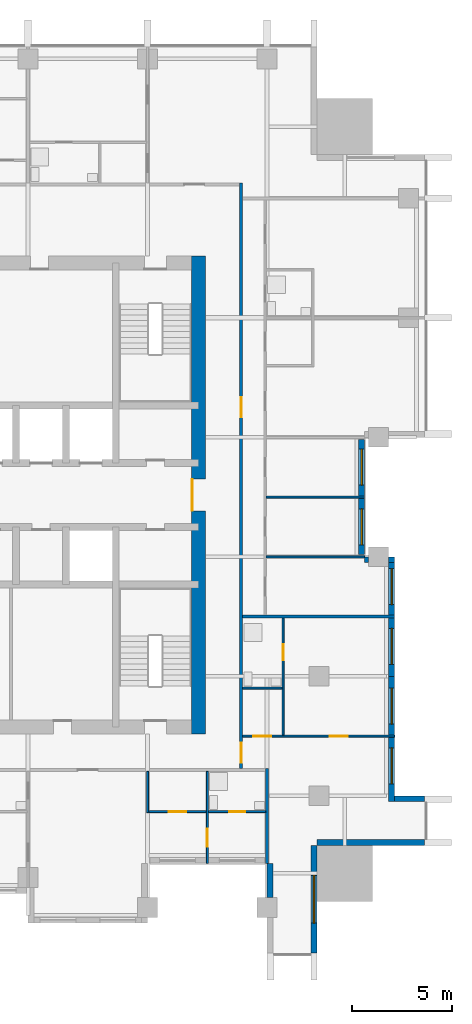
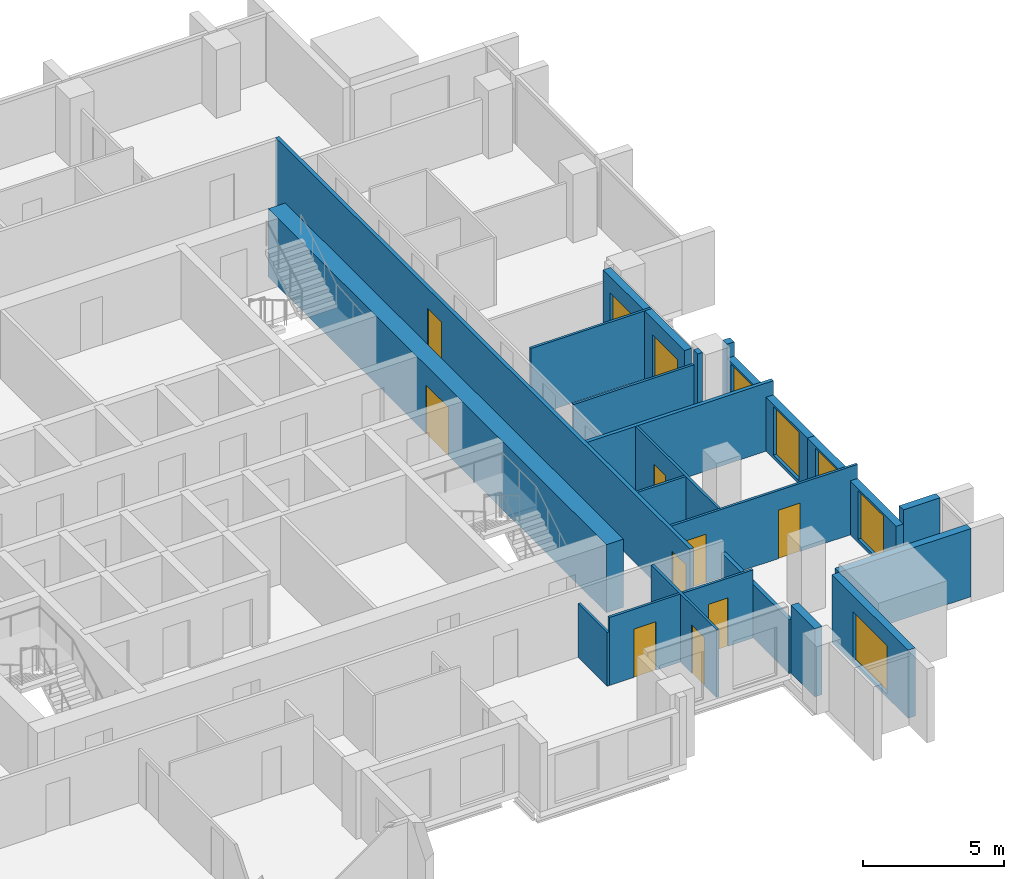
# One storey, part 6 of 10: 21 walls, 9 doors, 7 windows, 16 openings.
"""IFC4 building model written with IfcOpenShell, lengths in metres."""

from ifc_helpers import new_model, si_unit, direction, frame, frame_2d, origin, place, context, subcontext, project, spatial, rectangle, extrude, material, layer, layer_set, type_object, element, fill, save


model = new_model("IFC4")

# Units and contexts
model_context = context("Model", 3, precision=1e-05, world=origin(), true_north=direction((0.0, 1.0)))
body_context = subcontext(model_context, "Body", "Model", "MODEL_VIEW")
ifc_project = project(units=[si_unit("LENGTHUNIT", "METRE"), si_unit("AREAUNIT", "SQUARE_METRE"), si_unit("VOLUMEUNIT", "CUBIC_METRE"), si_unit("PLANEANGLEUNIT", "RADIAN"), si_unit("MASSUNIT", "GRAM", prefix="KILO")], contexts=[model_context])

# Site, building, storey
site_placement = place(None, origin())
site = spatial("IfcSite", under=ifc_project, at=site_placement, CompositionType="ELEMENT")
building_placement = place(site_placement, origin())
building = spatial("IfcBuilding", under=site, at=building_placement, Name="Amberfall Residences", CompositionType="ELEMENT")
storey_placement = place(building_placement, frame((0.0, 0.0, 174.699951171875)))
storey = spatial("IfcBuildingStorey", under=building, at=storey_placement, Name="L47", CompositionType="ELEMENT", Elevation=174.699951171875)

# Wall
ifc_material_1 = material(Name="Pale stone cladding on insulated backing", Category="masonry")
ifc_layer_1 = layer(ifc_material_1, 0.300048828125)
ifc_layer_set_1 = layer_set([ifc_layer_1], Name="Bronze clad wall 300")
wall_type_1 = type_object("IfcWallType", Name="Bronze clad wall 300", PredefinedType="SOLIDWALL", material=ifc_layer_set_1)
wall_1_placement = place(storey_placement, frame((89.75, 27.0, 0.0), z_axis=(0.0, 0.0, 1.0), x_axis=(0.0, -1.0, 0.0)))
element("IfcWall", 1, at=wall_1_placement, inside=storey, type_object=wall_type_1, Name="External wall L47 S", PredefinedType="SOLIDWALL", context=body_context, shape_type="SweptSolid", body=[
    extrude(rectangle(XDim=1.699951171875, YDim=0.300048828125, at=frame_2d((0.85009765625, 0.0))), origin(), (0.0, 0.0, 1.0), 2.949951171875),
])

# Wall, opening, window
wall_2_placement = place(storey_placement, frame((91.949951171875, 22.5, 0.0), z_axis=(0.0, 0.0, 1.0), x_axis=(0.0, 1.0, 0.0)))
wall_2 = element("IfcWall", 2, at=wall_2_placement, inside=storey, type_object=wall_type_1, Name="External wall L47 SE", PredefinedType="SOLIDWALL", context=body_context, shape_type="SweptSolid", body=[
    extrude(rectangle(XDim=5.39990234375, YDim=0.300048828125, at=frame_2d((2.699951171875, 0.0))), origin(), (0.0, 0.0, 1.0), 2.949951171875),
])
opening_1_placement = place(wall_2_placement, frame((1.5, 0.0, 0.14990234375)))
opening_1 = element("IfcOpeningElement", 3, at=opening_1_placement, cuts=wall_2, Name="Opening WN5", PredefinedType="OPENING", context=body_context, shape_type="SweptSolid", body=[
    extrude(rectangle(XDim=2.39990234375, YDim=2.10009765625, at=frame_2d((1.199951171875, 1.050048828125))), frame((0.0, 0.159912109375, 0.0), z_axis=(0.0, -1.0, 0.0), x_axis=(1.0, 0.0, 0.0)), (0.0, 0.0, 1.0), 0.320068359375),
])
ifc_material_2 = material(Name="Bronze aluminium framed glazing", Category="aluminium")
window_type_1 = type_object("IfcWindowType", Name="Glazed opening 2400 x 2100 bronze", PartitioningType="DOUBLE_PANEL_VERTICAL", PredefinedType="WINDOW", material=ifc_material_2)
window_1_placement = place(opening_1_placement, origin())
window_1 = element("IfcWindow", 4, at=window_1_placement, inside=storey, type_object=window_type_1, Name="Window L47 SE", OverallHeight=2.10009765625, OverallWidth=2.39990234375, PartitioningType="DOUBLE_PANEL_VERTICAL", PredefinedType="WINDOW", context=body_context, shape_type="SweptSolid", body=[
    extrude(rectangle(XDim=2.39990234375, YDim=2.10009765625, at=frame_2d((1.199951171875, 1.050048828125))), frame((0.0, 0.030029296875, 0.0), z_axis=(0.0, -1.0, 0.0), x_axis=(1.0, 0.0, 0.0)), (0.0, 0.0, 1.0), 0.06005859375),
])
fill(opening_1, window_1)

# Walls
wall_3_placement = place(storey_placement, frame((92.10009765625, 28.050048828125, 0.0), z_axis=(0.0, 0.0, 1.0), x_axis=(1.0, 0.0, 0.0)))
element("IfcWall", 5, at=wall_3_placement, inside=storey, type_object=wall_type_1, Name="External wall L47 SE", PredefinedType="SOLIDWALL", context=body_context, shape_type="SweptSolid", body=[
    extrude(rectangle(XDim=5.39990234375, YDim=0.300048828125, at=frame_2d((2.699951171875, 0.0))), origin(), (0.0, 0.0, 1.0), 2.949951171875),
])
wall_4_placement = place(storey_placement, frame((97.5, 30.25, 0.0), z_axis=(0.0, 0.0, 1.0), x_axis=(-1.0, 0.0, 0.0)))
element("IfcWall", 6, at=wall_4_placement, inside=storey, type_object=wall_type_1, Name="External wall L47 E", PredefinedType="SOLIDWALL", context=body_context, shape_type="SweptSolid", body=[
    extrude(rectangle(XDim=1.5, YDim=0.300048828125, at=frame_2d((0.75, 0.0))), origin(), (0.0, 0.0, 1.0), 2.949951171875),
])
wall_5_placement = place(storey_placement, frame((96.0, 42.25, 0.0), z_axis=(0.0, 0.0, 1.0), x_axis=(-1.0, 0.0, 0.0)))
element("IfcWall", 7, at=wall_5_placement, inside=storey, type_object=wall_type_1, Name="External wall L47 E", PredefinedType="SOLIDWALL", context=body_context, shape_type="SweptSolid", body=[
    extrude(rectangle(XDim=0.300048828125, YDim=0.300048828125, at=frame_2d((0.14990234375, 0.0))), origin(), (0.0, 0.0, 1.0), 2.949951171875),
])
wall_6_placement = place(storey_placement, frame((94.699951171875, 42.25, 0.0), z_axis=(0.0, 0.0, 1.0), x_axis=(-1.0, 0.0, 0.0)))
element("IfcWall", 8, at=wall_6_placement, inside=storey, type_object=wall_type_1, Name="External wall L47 E", PredefinedType="SOLIDWALL", context=body_context, shape_type="SweptSolid", body=[
    extrude(rectangle(XDim=0.199951171875, YDim=0.300048828125, at=frame_2d((0.10009765625, 0.0))), origin(), (0.0, 0.0, 1.0), 2.949951171875),
])

# Wall, openings, windows
wall_7_placement = place(storey_placement, frame((95.85009765625, 30.10009765625, 0.0), z_axis=(0.0, 0.0, 1.0), x_axis=(0.0, 1.0, 0.0)))
wall_7 = element("IfcWall", 9, at=wall_7_placement, inside=storey, type_object=wall_type_1, Name="Stone wall L47 E", PredefinedType="SOLIDWALL", context=body_context, shape_type="SweptSolid", body=[
    extrude(rectangle(XDim=6.2998046875, YDim=0.300048828125, at=frame_2d((3.14990234375, 0.0))), origin(), (0.0, 0.0, 1.0), 2.34033203125),
])
opening_2_placement = place(wall_7_placement, frame((0.89990234375, 0.0, 0.14990234375)))
opening_2 = element("IfcOpeningElement", 10, at=opening_2_placement, cuts=wall_7, Name="Opening WN6", PredefinedType="OPENING", context=body_context, shape_type="SweptSolid", body=[
    extrude(rectangle(XDim=1.800048828125, YDim=2.10009765625, at=frame_2d((0.89990234375, 1.050048828125))), frame((0.0, 0.159912109375, 0.0), z_axis=(0.0, -1.0, 0.0), x_axis=(1.0, 0.0, 0.0)), (0.0, 0.0, 1.0), 0.320068359375),
])
opening_3_placement = place(wall_7_placement, frame((3.89990234375, 0.0, 0.14990234375)))
opening_3 = element("IfcOpeningElement", 11, at=opening_3_placement, cuts=wall_7, Name="Opening WN6", PredefinedType="OPENING", context=body_context, shape_type="SweptSolid", body=[
    extrude(rectangle(XDim=1.800048828125, YDim=2.10009765625, at=frame_2d((0.89990234375, 1.050048828125))), frame((0.0, 0.159912109375, 0.0), z_axis=(0.0, -1.0, 0.0), x_axis=(1.0, 0.0, 0.0)), (0.0, 0.0, 1.0), 0.320068359375),
])
window_type_2 = type_object("IfcWindowType", Name="Glazed opening 1800 x 2100 bronze", PartitioningType="DOUBLE_PANEL_VERTICAL", PredefinedType="WINDOW", material=ifc_material_2)
window_2_placement = place(opening_2_placement, origin())
window_2 = element("IfcWindow", 12, at=window_2_placement, inside=storey, type_object=window_type_2, Name="Window L47 E", OverallHeight=2.10009765625, OverallWidth=1.800048828125, PartitioningType="DOUBLE_PANEL_VERTICAL", PredefinedType="WINDOW", context=body_context, shape_type="SweptSolid", body=[
    extrude(rectangle(XDim=1.800048828125, YDim=2.10009765625, at=frame_2d((0.89990234375, 1.050048828125))), frame((0.0, 0.030029296875, 0.0), z_axis=(0.0, -1.0, 0.0), x_axis=(1.0, 0.0, 0.0)), (0.0, 0.0, 1.0), 0.06005859375),
])
fill(opening_2, window_2)
window_3_placement = place(opening_3_placement, origin())
window_3 = element("IfcWindow", 13, at=window_3_placement, inside=storey, type_object=window_type_2, Name="Window L47 E", OverallHeight=2.10009765625, OverallWidth=1.800048828125, PartitioningType="DOUBLE_PANEL_VERTICAL", PredefinedType="WINDOW", context=body_context, shape_type="SweptSolid", body=[
    extrude(rectangle(XDim=1.800048828125, YDim=2.10009765625, at=frame_2d((0.89990234375, 1.050048828125))), frame((0.0, 0.030029296875, 0.0), z_axis=(0.0, -1.0, 0.0), x_axis=(1.0, 0.0, 0.0)), (0.0, 0.0, 1.0), 0.06005859375),
])
fill(opening_3, window_3)

wall_8_placement = place(storey_placement, frame((95.85009765625, 36.39990234375, 0.0), z_axis=(0.0, 0.0, 1.0), x_axis=(0.0, 1.0, 0.0)))
wall_8 = element("IfcWall", 14, at=wall_8_placement, inside=storey, type_object=wall_type_1, Name="Stone wall L47 E", PredefinedType="SOLIDWALL", context=body_context, shape_type="SweptSolid", body=[
    extrude(rectangle(XDim=5.7001953125, YDim=0.300048828125, at=frame_2d((2.85009765625, 0.0))), origin(), (0.0, 0.0, 1.0), 2.34033203125),
])
opening_4_placement = place(wall_8_placement, frame((0.60009765625, 0.0, 0.14990234375)))
opening_4 = element("IfcOpeningElement", 15, at=opening_4_placement, cuts=wall_8, Name="Opening WN6", PredefinedType="OPENING", context=body_context, shape_type="SweptSolid", body=[
    extrude(rectangle(XDim=1.800048828125, YDim=2.10009765625, at=frame_2d((0.89990234375, 1.050048828125))), frame((0.0, 0.159912109375, 0.0), z_axis=(0.0, -1.0, 0.0), x_axis=(1.0, 0.0, 0.0)), (0.0, 0.0, 1.0), 0.320068359375),
])
opening_5_placement = place(wall_8_placement, frame((3.60009765625, 0.0, 0.14990234375)))
opening_5 = element("IfcOpeningElement", 16, at=opening_5_placement, cuts=wall_8, Name="Opening WN6", PredefinedType="OPENING", context=body_context, shape_type="SweptSolid", body=[
    extrude(rectangle(XDim=1.800048828125, YDim=2.10009765625, at=frame_2d((0.89990234375, 1.050048828125))), frame((0.0, 0.159912109375, 0.0), z_axis=(0.0, -1.0, 0.0), x_axis=(1.0, 0.0, 0.0)), (0.0, 0.0, 1.0), 0.320068359375),
])
window_4_placement = place(opening_4_placement, origin())
window_4 = element("IfcWindow", 17, at=window_4_placement, inside=storey, type_object=window_type_2, Name="Window L47 E", OverallHeight=2.10009765625, OverallWidth=1.800048828125, PartitioningType="DOUBLE_PANEL_VERTICAL", PredefinedType="WINDOW", context=body_context, shape_type="SweptSolid", body=[
    extrude(rectangle(XDim=1.800048828125, YDim=2.10009765625, at=frame_2d((0.89990234375, 1.050048828125))), frame((0.0, 0.030029296875, 0.0), z_axis=(0.0, -1.0, 0.0), x_axis=(1.0, 0.0, 0.0)), (0.0, 0.0, 1.0), 0.06005859375),
])
fill(opening_4, window_4)
window_5_placement = place(opening_5_placement, origin())
window_5 = element("IfcWindow", 18, at=window_5_placement, inside=storey, type_object=window_type_2, Name="Window L47 E", OverallHeight=2.10009765625, OverallWidth=1.800048828125, PartitioningType="DOUBLE_PANEL_VERTICAL", PredefinedType="WINDOW", context=body_context, shape_type="SweptSolid", body=[
    extrude(rectangle(XDim=1.800048828125, YDim=2.10009765625, at=frame_2d((0.89990234375, 1.050048828125))), frame((0.0, 0.030029296875, 0.0), z_axis=(0.0, -1.0, 0.0), x_axis=(1.0, 0.0, 0.0)), (0.0, 0.0, 1.0), 0.06005859375),
])
fill(opening_5, window_5)

wall_9_placement = place(storey_placement, frame((94.35009765625, 42.52001953125, 0.0), z_axis=(0.0, 0.0, 1.0), x_axis=(0.0, 1.0, 0.0)))
wall_9 = element("IfcWall", 19, at=wall_9_placement, inside=storey, type_object=wall_type_1, Name="Stone wall L47 E", PredefinedType="SOLIDWALL", context=body_context, shape_type="SweptSolid", body=[
    extrude(rectangle(XDim=5.760009765625, YDim=0.300048828125, at=frame_2d((2.8798828125, 0.0))), origin(), (0.0, 0.0, 1.0), 2.949951171875),
])
opening_6_placement = place(wall_9_placement, frame((0.47998046875, 0.0, 0.14990234375)))
opening_6 = element("IfcOpeningElement", 20, at=opening_6_placement, cuts=wall_9, Name="Opening WN6", PredefinedType="OPENING", context=body_context, shape_type="SweptSolid", body=[
    extrude(rectangle(XDim=1.800048828125, YDim=2.10009765625, at=frame_2d((0.89990234375, 1.050048828125))), frame((0.0, 0.159912109375, 0.0), z_axis=(0.0, -1.0, 0.0), x_axis=(1.0, 0.0, 0.0)), (0.0, 0.0, 1.0), 0.320068359375),
])
opening_7_placement = place(wall_9_placement, frame((3.47998046875, 0.0, 0.14990234375)))
opening_7 = element("IfcOpeningElement", 21, at=opening_7_placement, cuts=wall_9, Name="Opening WN6", PredefinedType="OPENING", context=body_context, shape_type="SweptSolid", body=[
    extrude(rectangle(XDim=1.800048828125, YDim=2.10009765625, at=frame_2d((0.89990234375, 1.050048828125))), frame((0.0, 0.159912109375, 0.0), z_axis=(0.0, -1.0, 0.0), x_axis=(1.0, 0.0, 0.0)), (0.0, 0.0, 1.0), 0.320068359375),
])
window_6_placement = place(opening_6_placement, origin())
window_6 = element("IfcWindow", 22, at=window_6_placement, inside=storey, type_object=window_type_2, Name="Window L47 E", OverallHeight=2.10009765625, OverallWidth=1.800048828125, PartitioningType="DOUBLE_PANEL_VERTICAL", PredefinedType="WINDOW", context=body_context, shape_type="SweptSolid", body=[
    extrude(rectangle(XDim=1.800048828125, YDim=2.10009765625, at=frame_2d((0.89990234375, 1.050048828125))), frame((0.0, 0.030029296875, 0.0), z_axis=(0.0, -1.0, 0.0), x_axis=(1.0, 0.0, 0.0)), (0.0, 0.0, 1.0), 0.06005859375),
])
fill(opening_6, window_6)
window_7_placement = place(opening_7_placement, origin())
window_7 = element("IfcWindow", 23, at=window_7_placement, inside=storey, type_object=window_type_2, Name="Window L47 E", OverallHeight=2.10009765625, OverallWidth=1.800048828125, PartitioningType="DOUBLE_PANEL_VERTICAL", PredefinedType="WINDOW", context=body_context, shape_type="SweptSolid", body=[
    extrude(rectangle(XDim=1.800048828125, YDim=2.10009765625, at=frame_2d((0.89990234375, 1.050048828125))), frame((0.0, 0.030029296875, 0.0), z_axis=(0.0, -1.0, 0.0), x_axis=(1.0, 0.0, 0.0)), (0.0, 0.0, 1.0), 0.06005859375),
])
fill(opening_7, window_7)

# Wall, opening, door
ifc_material_3 = material(Name="Concrete C60", Category="concrete")
ifc_layer_2 = layer(ifc_material_3, 0.699951171875)
ifc_layer_set_2 = layer_set([ifc_layer_2], Name="Core wall 700 C60")
wall_type_2 = type_object("IfcWallType", Name="Core wall 700 C60", PredefinedType="SHEAR", material=ifc_layer_set_2)
wall_10_placement = place(storey_placement, frame((86.14990234375, 33.5, 0.0), z_axis=(0.0, 0.0, 1.0), x_axis=(0.0, 1.0, 0.0)))
wall_10 = element("IfcWall", 24, at=wall_10_placement, inside=storey, type_object=wall_type_2, Name="Core wall RW5 L47 OE", PredefinedType="SHEAR", context=body_context, shape_type="SweptSolid", body=[
    extrude(rectangle(XDim=24.0, YDim=0.699951171875, at=frame_2d((12.0, 0.0))), origin(), (0.0, 0.0, 1.0), 2.949951171875),
])
opening_8_placement = place(wall_10_placement, frame((11.199951171875, 0.0, 0.0)))
opening_8 = element("IfcOpeningElement", 25, at=opening_8_placement, cuts=wall_10, Name="Opening LB1", PredefinedType="OPENING", context=body_context, shape_type="SweptSolid", body=[
    extrude(rectangle(XDim=1.60009765625, YDim=2.10009765625, at=frame_2d((0.800048828125, 1.050048828125))), frame((0.0, 0.35986328125, 0.0), z_axis=(0.0, -1.0, 0.0), x_axis=(1.0, 0.0, 0.0)), (0.0, 0.0, 1.0), 0.719970703125),
])
ifc_material_4 = material(Name="Steel fire door set", Category="steel")
door_type_1 = type_object("IfcDoorType", Name="Lift lobby double door 1600 x 2100", OperationType="DOUBLE_DOOR_SINGLE_SWING", PredefinedType="DOOR", material=ifc_material_4)
door_1_placement = place(opening_8_placement, origin())
door_1 = element("IfcDoor", 26, at=door_1_placement, inside=storey, type_object=door_type_1, Name="LB1 L47", OperationType="DOUBLE_DOOR_SINGLE_SWING", OverallHeight=2.10009765625, OverallWidth=1.60009765625, PredefinedType="DOOR", context=body_context, shape_type="SweptSolid", body=[
    extrude(rectangle(XDim=1.60009765625, YDim=2.10009765625, at=frame_2d((0.800048828125, 1.050048828125))), frame((0.0, 0.33740234375, 0.0), z_axis=(0.0, -1.0, 0.0), x_axis=(1.0, 0.0, 0.0)), (0.0, 0.0, 1.0), 0.050048828125),
])
fill(opening_8, door_1)

# Wall
ifc_material_5 = material(Name="Gypsum board on metal stud")
ifc_layer_3 = layer(ifc_material_5, 0.10009765625)
ifc_layer_set_3 = layer_set([ifc_layer_3], Name="Flat partition 100")
wall_type_3 = type_object("IfcWallType", Name="Flat partition 100", PredefinedType="PARTITIONING", material=ifc_layer_set_3)
wall_11_placement = place(storey_placement, frame((83.60009765625, 29.550048828125, 0.0), z_axis=(0.0, 0.0, 1.0), x_axis=(0.0, 1.0, 0.0)))
element("IfcWall", 27, at=wall_11_placement, inside=storey, type_object=wall_type_3, Name="Partition 016", PredefinedType="PARTITIONING", context=body_context, shape_type="SweptSolid", body=[
    extrude(rectangle(XDim=2.074951171875, YDim=0.10009765625, at=frame_2d((1.03759765625, 0.0))), origin(), (0.0, 0.0, 1.0), 2.33203125),
])

# Wall, opening, door
wall_12_placement = place(storey_placement, frame((86.60009765625, 31.625, 0.0), z_axis=(0.0, 0.0, 1.0), x_axis=(0.0, -1.0, 0.0)))
wall_12 = element("IfcWall", 28, at=wall_12_placement, inside=storey, type_object=wall_type_3, Name="Partition 018", PredefinedType="PARTITIONING", context=body_context, shape_type="SweptSolid", body=[
    extrude(rectangle(XDim=4.625, YDim=0.10009765625, at=frame_2d((2.3125, 0.0))), origin(), (0.0, 0.0, 1.0), 2.949951171875),
])
opening_9_placement = place(wall_12_placement, frame((2.875, 0.0, 0.0)))
opening_9 = element("IfcOpeningElement", 29, at=opening_9_placement, cuts=wall_12, Name="Opening D41", PredefinedType="OPENING", context=body_context, shape_type="SweptSolid", body=[
    extrude(rectangle(XDim=0.89990234375, YDim=2.10009765625, at=frame_2d((0.449951171875, 1.050048828125))), frame((0.0, 0.06005859375, 0.0), z_axis=(0.0, -1.0, 0.0), x_axis=(1.0, 0.0, 0.0)), (0.0, 0.0, 1.0), 0.1201171875),
])
ifc_material_6 = material(Name="Timber", Category="wood")
door_type_2 = type_object("IfcDoorType", Name="Internal door 900 x 2100", OperationType="SINGLE_SWING_LEFT", PredefinedType="DOOR", material=ifc_material_6)
door_2_placement = place(opening_9_placement, origin())
door_2 = element("IfcDoor", 30, at=door_2_placement, inside=storey, type_object=door_type_2, Name="Door 4702 bedroom2", OperationType="SINGLE_SWING_LEFT", OverallHeight=2.10009765625, OverallWidth=0.89990234375, PredefinedType="DOOR", context=body_context, shape_type="SweptSolid", body=[
    extrude(rectangle(XDim=0.89990234375, YDim=2.10009765625, at=frame_2d((0.449951171875, 1.050048828125))), frame((0.0, 0.02490234375, 0.0), z_axis=(0.0, -1.0, 0.0), x_axis=(1.0, 0.0, 0.0)), (0.0, 0.0, 1.0), 0.050048828125),
])
fill(opening_9, door_2)

wall_13_placement = place(storey_placement, frame((90.39990234375, 33.449951171875, 0.0), z_axis=(0.0, 0.0, 1.0), x_axis=(0.0, 1.0, 0.0)))
wall_13 = element("IfcWall", 31, at=wall_13_placement, inside=storey, type_object=wall_type_3, Name="Partition 020", PredefinedType="PARTITIONING", context=body_context, shape_type="SweptSolid", body=[
    extrude(rectangle(XDim=5.875, YDim=0.10009765625, at=frame_2d((2.9375, 0.0))), origin(), (0.0, 0.0, 1.0), 2.949951171875),
])
opening_10_placement = place(wall_13_placement, frame((3.75, 0.0, 0.0)))
opening_10 = element("IfcOpeningElement", 32, at=opening_10_placement, cuts=wall_13, Name="Opening D42", PredefinedType="OPENING", context=body_context, shape_type="SweptSolid", body=[
    extrude(rectangle(XDim=0.800048828125, YDim=2.10009765625, at=frame_2d((0.39990234375, 1.050048828125))), frame((0.0, 0.06005859375, 0.0), z_axis=(0.0, -1.0, 0.0), x_axis=(1.0, 0.0, 0.0)), (0.0, 0.0, 1.0), 0.1201171875),
])
door_type_3 = type_object("IfcDoorType", Name="Bathroom door 800 x 2100", OperationType="SINGLE_SWING_LEFT", PredefinedType="DOOR", material=ifc_material_6)
door_3_placement = place(opening_10_placement, origin())
door_3 = element("IfcDoor", 33, at=door_3_placement, inside=storey, type_object=door_type_3, Name="Door 4703 bath1", OperationType="SINGLE_SWING_LEFT", OverallHeight=2.10009765625, OverallWidth=0.800048828125, PredefinedType="DOOR", context=body_context, shape_type="SweptSolid", body=[
    extrude(rectangle(XDim=0.800048828125, YDim=2.10009765625, at=frame_2d((0.39990234375, 1.050048828125))), frame((0.0, 0.02490234375, 0.0), z_axis=(0.0, -1.0, 0.0), x_axis=(1.0, 0.0, 0.0)), (0.0, 0.0, 1.0), 0.050048828125),
])
fill(opening_10, door_3)

# Walls
wall_14_placement = place(storey_placement, frame((89.550048828125, 45.39990234375, 0.0), z_axis=(0.0, 0.0, 1.0), x_axis=(1.0, 0.0, 0.0)))
element("IfcWall", 34, at=wall_14_placement, inside=storey, type_object=wall_type_3, Name="Partition 034", PredefinedType="PARTITIONING", context=body_context, shape_type="SweptSolid", body=[
    extrude(rectangle(XDim=4.949951171875, YDim=0.10009765625, at=frame_2d((2.47509765625, 0.0))), origin(), (0.0, 0.0, 1.0), 2.949951171875),
])
wall_15_placement = place(storey_placement, frame((89.550048828125, 42.39990234375, 0.0), z_axis=(0.0, 0.0, 1.0), x_axis=(1.0, 0.0, 0.0)))
element("IfcWall", 35, at=wall_15_placement, inside=storey, type_object=wall_type_3, Name="Partition 036", PredefinedType="PARTITIONING", context=body_context, shape_type="SweptSolid", body=[
    extrude(rectangle(XDim=4.949951171875, YDim=0.10009765625, at=frame_2d((2.47509765625, 0.0))), origin(), (0.0, 0.0, 1.0), 2.33203125),
])
wall_16_placement = place(storey_placement, frame((88.375, 35.800048828125, 0.0), z_axis=(0.0, 0.0, 1.0), x_axis=(1.0, 0.0, 0.0)))
element("IfcWall", 36, at=wall_16_placement, inside=storey, type_object=wall_type_3, Name="Partition 039", PredefinedType="PARTITIONING", context=body_context, shape_type="SweptSolid", body=[
    extrude(rectangle(XDim=1.97509765625, YDim=0.10009765625, at=frame_2d((0.987548828125, 0.0))), origin(), (0.0, 0.0, 1.0), 2.949951171875),
])

# Wall, openings, doors
wall_17_placement = place(storey_placement, frame((88.375, 33.39990234375, 0.0), z_axis=(0.0, 0.0, 1.0), x_axis=(1.0, 0.0, 0.0)))
wall_17 = element("IfcWall", 37, at=wall_17_placement, inside=storey, type_object=wall_type_3, Name="Partition 041", PredefinedType="PARTITIONING", context=body_context, shape_type="SweptSolid", body=[
    extrude(rectangle(XDim=7.625, YDim=0.10009765625, at=frame_2d((3.8125, 0.0))), origin(), (0.0, 0.0, 1.0), 2.949951171875),
])
opening_11_placement = place(wall_17_placement, frame((0.52490234375, 0.0, 0.0)))
opening_11 = element("IfcOpeningElement", 38, at=opening_11_placement, cuts=wall_17, Name="Opening D41", PredefinedType="OPENING", context=body_context, shape_type="SweptSolid", body=[
    extrude(rectangle(XDim=0.89990234375, YDim=2.10009765625, at=frame_2d((0.449951171875, 1.050048828125))), frame((0.0, 0.06005859375, 0.0), z_axis=(0.0, -1.0, 0.0), x_axis=(1.0, 0.0, 0.0)), (0.0, 0.0, 1.0), 0.1201171875),
])
opening_12_placement = place(wall_17_placement, frame((4.375, 0.0, 0.0)))
opening_12 = element("IfcOpeningElement", 39, at=opening_12_placement, cuts=wall_17, Name="Opening D41", PredefinedType="OPENING", context=body_context, shape_type="SweptSolid", body=[
    extrude(rectangle(XDim=0.89990234375, YDim=2.10009765625, at=frame_2d((0.449951171875, 1.050048828125))), frame((0.0, 0.06005859375, 0.0), z_axis=(0.0, -1.0, 0.0), x_axis=(1.0, 0.0, 0.0)), (0.0, 0.0, 1.0), 0.1201171875),
])
door_4_placement = place(opening_11_placement, origin())
door_4 = element("IfcDoor", 40, at=door_4_placement, inside=storey, type_object=door_type_2, Name="Door 4703 kitchen", OperationType="SINGLE_SWING_LEFT", OverallHeight=2.10009765625, OverallWidth=0.89990234375, PredefinedType="DOOR", context=body_context, shape_type="SweptSolid", body=[
    extrude(rectangle(XDim=0.89990234375, YDim=2.10009765625, at=frame_2d((0.449951171875, 1.050048828125))), frame((0.0, 0.02490234375, 0.0), z_axis=(0.0, -1.0, 0.0), x_axis=(1.0, 0.0, 0.0)), (0.0, 0.0, 1.0), 0.050048828125),
])
fill(opening_11, door_4)
door_5_placement = place(opening_12_placement, origin())
door_5 = element("IfcDoor", 41, at=door_5_placement, inside=storey, type_object=door_type_2, Name="Door 4703 bedroom1", OperationType="SINGLE_SWING_LEFT", OverallHeight=2.10009765625, OverallWidth=0.89990234375, PredefinedType="DOOR", context=body_context, shape_type="SweptSolid", body=[
    extrude(rectangle(XDim=0.89990234375, YDim=2.10009765625, at=frame_2d((0.449951171875, 1.050048828125))), frame((0.0, 0.02490234375, 0.0), z_axis=(0.0, -1.0, 0.0), x_axis=(1.0, 0.0, 0.0)), (0.0, 0.0, 1.0), 0.050048828125),
])
fill(opening_12, door_5)

wall_18_placement = place(storey_placement, frame((83.64990234375, 29.60009765625, 0.0), z_axis=(0.0, 0.0, 1.0), x_axis=(1.0, 0.0, 0.0)))
wall_18 = element("IfcWall", 42, at=wall_18_placement, inside=storey, type_object=wall_type_3, Name="Partition 045", PredefinedType="PARTITIONING", context=body_context, shape_type="SweptSolid", body=[
    extrude(rectangle(XDim=5.875, YDim=0.10009765625, at=frame_2d((2.9375, 0.0))), origin(), (0.0, 0.0, 1.0), 2.949951171875),
])
opening_13_placement = place(wall_18_placement, frame((1.0, 0.0, 0.0)))
opening_13 = element("IfcOpeningElement", 43, at=opening_13_placement, cuts=wall_18, Name="Opening D41", PredefinedType="OPENING", context=body_context, shape_type="SweptSolid", body=[
    extrude(rectangle(XDim=0.89990234375, YDim=2.10009765625, at=frame_2d((0.449951171875, 1.050048828125))), frame((0.0, 0.06005859375, 0.0), z_axis=(0.0, -1.0, 0.0), x_axis=(1.0, 0.0, 0.0)), (0.0, 0.0, 1.0), 0.1201171875),
])
opening_14_placement = place(wall_18_placement, frame((4.050048828125, 0.0, 0.0)))
opening_14 = element("IfcOpeningElement", 44, at=opening_14_placement, cuts=wall_18, Name="Opening D42", PredefinedType="OPENING", context=body_context, shape_type="SweptSolid", body=[
    extrude(rectangle(XDim=0.800048828125, YDim=2.10009765625, at=frame_2d((0.39990234375, 1.050048828125))), frame((0.0, 0.06005859375, 0.0), z_axis=(0.0, -1.0, 0.0), x_axis=(1.0, 0.0, 0.0)), (0.0, 0.0, 1.0), 0.1201171875),
])
door_6_placement = place(opening_14_placement, origin())
door_6 = element("IfcDoor", 45, at=door_6_placement, inside=storey, type_object=door_type_3, Name="Door 4702 bath2", OperationType="SINGLE_SWING_LEFT", OverallHeight=2.10009765625, OverallWidth=0.800048828125, PredefinedType="DOOR", context=body_context, shape_type="SweptSolid", body=[
    extrude(rectangle(XDim=0.800048828125, YDim=2.10009765625, at=frame_2d((0.39990234375, 1.050048828125))), frame((0.0, 0.02490234375, 0.0), z_axis=(0.0, -1.0, 0.0), x_axis=(1.0, 0.0, 0.0)), (0.0, 0.0, 1.0), 0.050048828125),
])
fill(opening_14, door_6)
door_7_placement = place(opening_13_placement, origin())
door_7 = element("IfcDoor", 46, at=door_7_placement, inside=storey, type_object=door_type_2, Name="Door 4702 kitchen", OperationType="SINGLE_SWING_LEFT", OverallHeight=2.10009765625, OverallWidth=0.89990234375, PredefinedType="DOOR", context=body_context, shape_type="SweptSolid", body=[
    extrude(rectangle(XDim=0.89990234375, YDim=2.10009765625, at=frame_2d((0.449951171875, 1.050048828125))), frame((0.0, 0.02490234375, 0.0), z_axis=(0.0, -1.0, 0.0), x_axis=(1.0, 0.0, 0.0)), (0.0, 0.0, 1.0), 0.050048828125),
])
fill(opening_13, door_7)

ifc_material_7 = material(Name="Blockwork, plastered", Category="masonry")
ifc_layer_4 = layer(ifc_material_7, 0.14990234375)
ifc_layer_set_4 = layer_set([ifc_layer_4], Name="Flat separating wall 150")
wall_type_4 = type_object("IfcWallType", Name="Flat separating wall 150", PredefinedType="PARTITIONING", material=ifc_layer_set_4)
wall_19_placement = place(storey_placement, frame((88.300048828125, 61.175048828125, 0.0), z_axis=(0.0, 0.0, 1.0), x_axis=(0.0, -1.0, 0.0)))
wall_19 = element("IfcWall", 47, at=wall_19_placement, inside=storey, type_object=wall_type_4, Name="Separating wall 050", PredefinedType="PARTITIONING", context=body_context, shape_type="SweptSolid", body=[
    extrude(rectangle(XDim=29.400146484375, YDim=0.14990234375, at=frame_2d((14.7001953125, 0.0))), origin(), (0.0, 0.0, 1.0), 2.949951171875),
])
opening_15_placement = place(wall_19_placement, frame((28.125, 0.0, 0.0)))
opening_15 = element("IfcOpeningElement", 48, at=opening_15_placement, cuts=wall_19, Name="Opening D40", PredefinedType="OPENING", context=body_context, shape_type="SweptSolid", body=[
    extrude(rectangle(XDim=1.0, YDim=2.10009765625, at=frame_2d((0.5, 1.050048828125))), frame((0.0, 0.0849609375, 0.0), z_axis=(0.0, -1.0, 0.0), x_axis=(1.0, 0.0, 0.0)), (0.0, 0.0, 1.0), 0.169921875),
])
opening_16_placement = place(wall_19_placement, frame((10.77490234375, 0.0, 0.0)))
opening_16 = element("IfcOpeningElement", 49, at=opening_16_placement, cuts=wall_19, Name="Opening D40", PredefinedType="OPENING", context=body_context, shape_type="SweptSolid", body=[
    extrude(rectangle(XDim=1.0, YDim=2.10009765625, at=frame_2d((0.5, 1.050048828125))), frame((0.0, 0.0849609375, 0.0), z_axis=(0.0, -1.0, 0.0), x_axis=(1.0, 0.0, 0.0)), (0.0, 0.0, 1.0), 0.169921875),
])
ifc_material_8 = material(Name="Timber, fire-rated", Category="wood")
door_type_4 = type_object("IfcDoorType", Name="Flat entrance door FD60 1000 x 2100", OperationType="SINGLE_SWING_LEFT", PredefinedType="DOOR", material=ifc_material_8)
door_8_placement = place(opening_15_placement, origin())
door_8 = element("IfcDoor", 50, at=door_8_placement, inside=storey, type_object=door_type_4, Name="Door 4703 entrance", OperationType="SINGLE_SWING_LEFT", OverallHeight=2.10009765625, OverallWidth=1.0, PredefinedType="DOOR", context=body_context, shape_type="SweptSolid", body=[
    extrude(rectangle(XDim=1.0, YDim=2.10009765625, at=frame_2d((0.5, 1.050048828125))), frame((0.0, 0.02490234375, 0.0), z_axis=(0.0, -1.0, 0.0), x_axis=(1.0, 0.0, 0.0)), (0.0, 0.0, 1.0), 0.050048828125),
])
fill(opening_15, door_8)
door_9_placement = place(opening_16_placement, origin())
door_9 = element("IfcDoor", 51, at=door_9_placement, inside=storey, type_object=door_type_4, Name="Door 4704 entrance", OperationType="SINGLE_SWING_LEFT", OverallHeight=2.10009765625, OverallWidth=1.0, PredefinedType="DOOR", context=body_context, shape_type="SweptSolid", body=[
    extrude(rectangle(XDim=1.0, YDim=2.10009765625, at=frame_2d((0.5, 1.050048828125))), frame((0.0, 0.02490234375, 0.0), z_axis=(0.0, -1.0, 0.0), x_axis=(1.0, 0.0, 0.0)), (0.0, 0.0, 1.0), 0.050048828125),
])
fill(opening_16, door_9)

# Walls
wall_20_placement = place(storey_placement, frame((89.60009765625, 27.0, 0.0), z_axis=(0.0, 0.0, 1.0), x_axis=(0.0, 1.0, 0.0)))
element("IfcWall", 52, at=wall_20_placement, inside=storey, type_object=wall_type_4, Name="Separating wall 051", PredefinedType="PARTITIONING", context=body_context, shape_type="SweptSolid", body=[
    extrude(rectangle(XDim=4.77490234375, YDim=0.14990234375, at=frame_2d((2.387451171875, 0.0))), origin(), (0.0, 0.0, 1.0), 2.33203125),
])
wall_21_placement = place(storey_placement, frame((88.375, 39.39990234375, 0.0), z_axis=(0.0, 0.0, 1.0), x_axis=(1.0, 0.0, 0.0)))
element("IfcWall", 53, at=wall_21_placement, inside=storey, type_object=wall_type_4, Name="Separating wall 055", PredefinedType="PARTITIONING", context=body_context, shape_type="SweptSolid", body=[
    extrude(rectangle(XDim=7.625, YDim=0.14990234375, at=frame_2d((3.8125, 0.0))), origin(), (0.0, 0.0, 1.0), 2.949951171875),
])

save(model, "model.ifc")
